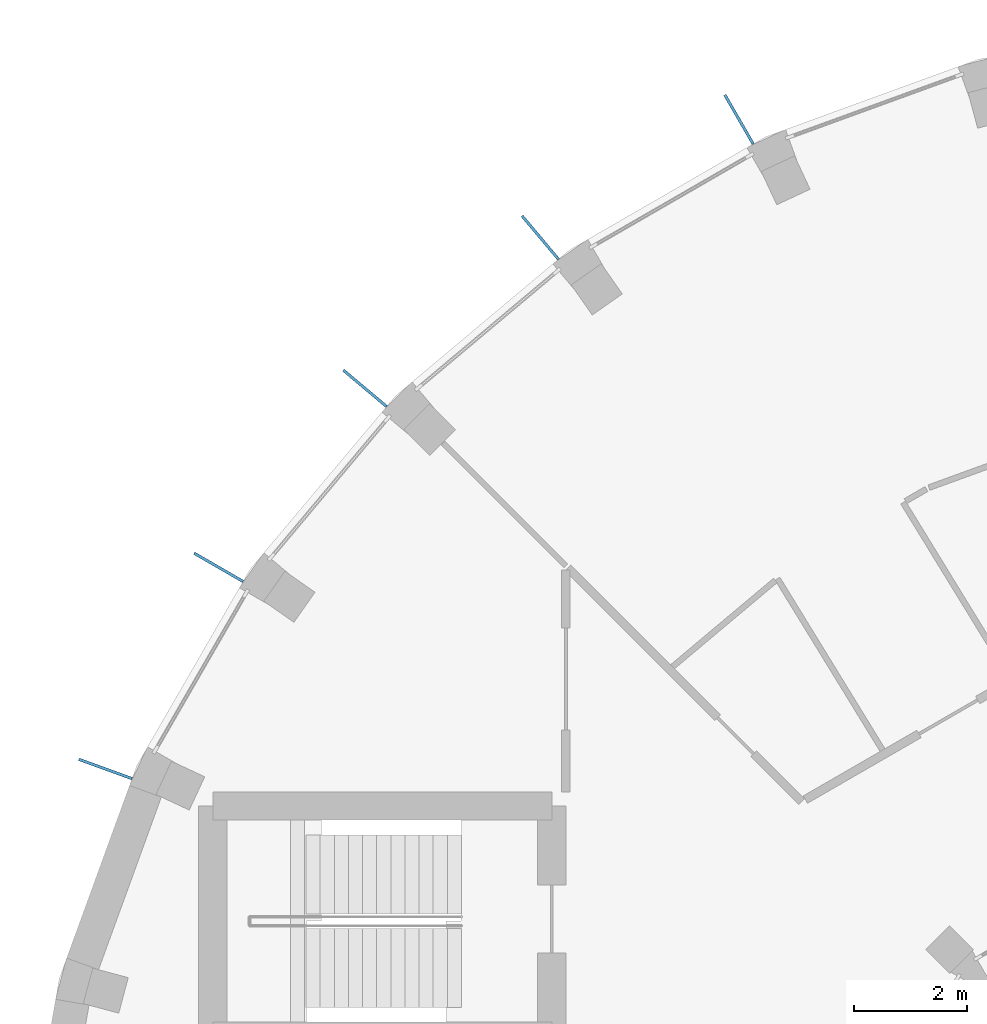
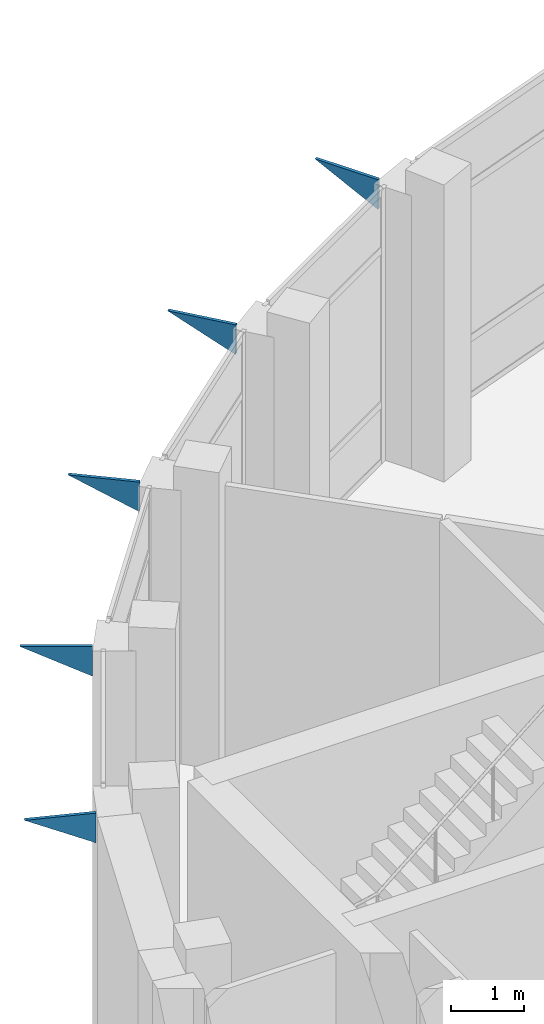
# One storey, part 18 of 19: 5 discrete accessories.
"""IFC4 building model written with IfcOpenShell, lengths in metres."""

import ifcopenshell
import ifcopenshell.guid

model = None  # the IFC model being written
_history = None  # IfcOwnerHistory: only IFC2X3 demands one
_inside = {}  # id of a spatial element -> (the spatial element, [elements in it])
_under = {}  # id of a project, library or spatial element -> (it, [spatial elements below it])
_declared = {}  # id of a project -> (the project, [libraries it declares])
_typed = {}  # id of a type object -> (the type object, [elements of that type])
_made_of = {}  # id of a material, layer set ... -> (it, [elements and type objects made of it])


def new_model(schema):
    """Start an empty IFC model of exactly this schema.

    Asked for "IFC4X3", IfcOpenShell would pick the latest addendum, in which some entities
    have other attributes; the version numbers below select the first issue.
    IFC2X3 requires an IfcOwnerHistory on every rooted entity: one is made here for all.
    """
    global model, _history
    if schema == "IFC4X3":
        model = ifcopenshell.file(schema_version=(4, 3, 0, 0))
    else:
        model = ifcopenshell.file(schema=schema)
    _inside.clear()
    _under.clear()
    _declared.clear()
    _typed.clear()
    _made_of.clear()
    _history = None
    if model.schema == "IFC2X3":
        org = make("IfcOrganization", Name="unknown")
        user = make(
            "IfcPersonAndOrganization",
            ThePerson=make("IfcPerson", FamilyName="unknown"),
            TheOrganization=org,
        )
        app = make(
            "IfcApplication",
            ApplicationDeveloper=org,
            Version="unknown",
            ApplicationFullName="unknown",
            ApplicationIdentifier="unknown",
        )
        _history = make(
            "IfcOwnerHistory",
            OwningUser=user,
            OwningApplication=app,
            ChangeAction="ADDED",
            CreationDate=0,
        )
    return model


def make(cls, **values):
    """One entity of the class cls with the attributes given. An attribute that is None is left unset."""
    return model.create_entity(
        cls, **{name: value for name, value in values.items() if value is not None}
    )


def rooted(cls, **values):
    """An entity with a GlobalId (a new one), such as an element, a storey or a relation."""
    return make(cls, GlobalId=ifcopenshell.guid.new(), OwnerHistory=_history, **values)


def si_unit(unit_type, name, prefix=None):
    """IfcSIUnit, for example si_unit("LENGTHUNIT", "METRE", prefix="MILLI")."""
    return make("IfcSIUnit", UnitType=unit_type, Prefix=prefix, Name=name)


def assignment(units):
    """IfcUnitAssignment: the units of a project."""
    return None if units is None else make("IfcUnitAssignment", Units=units)


def point(xyz):
    """IfcCartesianPoint."""
    return None if xyz is None else make("IfcCartesianPoint", Coordinates=xyz)


def direction(xyz):
    """IfcDirection."""
    return None if xyz is None else make("IfcDirection", DirectionRatios=xyz)


def frame(location, z_axis=None, x_axis=None):
    """IfcAxis2Placement3D, a coordinate frame: its origin and axes. An axis left out is left unset."""
    return make(
        "IfcAxis2Placement3D",
        Location=point(location),
        Axis=direction(z_axis),
        RefDirection=direction(x_axis),
    )


def origin():
    """The frame at (0, 0, 0) with its axes left unset."""
    return frame((0.0, 0.0, 0.0))


def place(relative_to, where):
    """IfcLocalPlacement: puts the frame where relative to a parent placement (None: the world)."""
    return make(
        "IfcLocalPlacement", PlacementRelTo=relative_to, RelativePlacement=where
    )


def context(
    kind, dimensions, precision=None, world=None, true_north=None, identifier=None
):
    """IfcGeometricRepresentationContext, for example the 3D "Model" context."""
    return make(
        "IfcGeometricRepresentationContext",
        ContextIdentifier=identifier,
        ContextType=kind,
        CoordinateSpaceDimension=dimensions,
        Precision=precision,
        WorldCoordinateSystem=world,
        TrueNorth=true_north,
    )


def subcontext(parent, identifier, kind, view, scale=None):
    """IfcGeometricRepresentationSubContext, for example "Body" below "Model"."""
    return make(
        "IfcGeometricRepresentationSubContext",
        ContextIdentifier=identifier,
        ContextType=kind,
        ParentContext=parent,
        TargetScale=scale,
        TargetView=view,
    )


def project(units=None, contexts=None):
    """IfcProject with its units and contexts."""
    return rooted(
        "IfcProject",
        Name="project",
        RepresentationContexts=contexts,
        UnitsInContext=assignment(units),
    )


def spatial(cls, under=None, at=None, **own):
    """A site, building, storey or space (cls), placed at a placement, below another one or the project."""
    s = rooted(cls, ObjectPlacement=at, **own)
    if under is not None:
        _under.setdefault(under.id(), (under, []))[1].append(s)
    return s


def polyline(points):
    """IfcPolyline through the points."""
    return make("IfcPolyline", Points=[point(p) for p in points])


def outline(outer, holes=None, kind="AREA"):
    """IfcArbitraryClosedProfileDef: a profile drawn as a closed curve; with holes, ...WithVoids."""
    if holes is None:
        return make("IfcArbitraryClosedProfileDef", ProfileType=kind, OuterCurve=outer)
    return make(
        "IfcArbitraryProfileDefWithVoids",
        ProfileType=kind,
        OuterCurve=outer,
        InnerCurves=holes,
    )


def extrude(swept, where, along, depth):
    """IfcExtrudedAreaSolid: the profile swept, set in the frame where, extruded along a direction by depth."""
    return make(
        "IfcExtrudedAreaSolid",
        SweptArea=swept,
        Position=where,
        ExtrudedDirection=direction(along),
        Depth=depth,
    )


def shape(context_of_items, identifier, shape_type, items):
    """IfcShapeRepresentation: the items that make up one representation, for example the "Body"."""
    return make(
        "IfcShapeRepresentation",
        ContextOfItems=context_of_items,
        RepresentationIdentifier=identifier,
        RepresentationType=shape_type,
        Items=items,
    )


def material(Name=None, Category=None):
    """IfcMaterial."""
    return make("IfcMaterial", Name=Name, Category=Category)


def layer(
    of_material, thickness, ventilated=None, Name=None, Category=None, Priority=None
):
    """IfcMaterialLayer: one layer of a wall or slab, of a material (None: an air gap)."""
    return make(
        "IfcMaterialLayer",
        Material=of_material,
        LayerThickness=thickness,
        IsVentilated=ventilated,
        Name=Name,
        Category=Category,
        Priority=Priority,
    )


def layer_set(layers, Name=None):
    """IfcMaterialLayerSet."""
    return make("IfcMaterialLayerSet", MaterialLayers=layers, LayerSetName=Name)


def made_of(thing, what):
    """Note that an element or type object is made of a material, layer set ...; save() writes the relation."""
    if what is not None:
        _made_of.setdefault(what.id(), (what, []))[1].append(thing)
    return thing


def type_object(cls, material=None, **own):
    """A type object (cls), such as IfcWallType, which elements share."""
    return made_of(rooted(cls, **own), material)


def element(
    cls,
    number,
    at=None,
    inside=None,
    cuts=None,
    type_object=None,
    material=None,
    context=None,
    identifier="Body",
    shape_type=None,
    held_by="IfcProductDefinitionShape",
    body=None,
    shapes=None,
    **own,
):
    """One element of the class cls, such as IfcWall. Its Tag is "e" and its number.

    at: its placement. inside: the storey or other place that contains it. cuts: it is an
    opening in that element (IfcRelVoidsElement). A single representation is given by context,
    identifier, shape_type and body (its items); several are given by shapes. held_by: the class
    of the entity that holds the representations. save() writes the other relations.
    """
    e = rooted(cls, Tag="e%d" % number, ObjectPlacement=at, **own)
    if body is not None:
        shapes = [shape(context, identifier, shape_type, body)]
    if shapes is not None:
        e.Representation = make(held_by, Representations=shapes)
    if inside is not None:
        _inside.setdefault(inside.id(), (inside, []))[1].append(e)
    if cuts is not None:
        rooted(
            "IfcRelVoidsElement", RelatingBuildingElement=cuts, RelatedOpeningElement=e
        )
    if type_object is not None:
        _typed.setdefault(type_object.id(), (type_object, []))[1].append(e)
    return made_of(e, material)


def aggregate(whole, parts):
    """IfcRelAggregates: a whole, such as a stair, and the parts it consists of."""
    return rooted("IfcRelAggregates", RelatingObject=whole, RelatedObjects=parts)


def save(model, path):
    """Write the relations noted so far, then the file.

    IfcRelAggregates (storeys below a building ...), IfcRelContainedInSpatialStructure (elements
    in a storey), IfcRelDefinesByType, IfcRelAssociatesMaterial and IfcRelDeclares: one each for
    every whole, place, type object, material and project.
    """
    for whole, parts in _under.values():
        aggregate(whole, parts)
    for where, things in _inside.values():
        rooted(
            "IfcRelContainedInSpatialStructure",
            RelatedElements=things,
            RelatingStructure=where,
        )
    for kind, things in _typed.values():
        rooted("IfcRelDefinesByType", RelatedObjects=things, RelatingType=kind)
    for what, things in _made_of.values():
        rooted("IfcRelAssociatesMaterial", RelatedObjects=things, RelatingMaterial=what)
    for by, libraries in _declared.values():
        rooted("IfcRelDeclares", RelatingContext=by, RelatedDefinitions=libraries)
    model.write(path)


model = new_model("IFC4")

# Units and contexts
model_context = context("Model", 3, precision=1e-05, world=origin(), true_north=direction((0.0, 1.0)))
body_context = subcontext(model_context, "Body", "Model", "MODEL_VIEW")
ifc_project = project(units=[si_unit("LENGTHUNIT", "METRE"), si_unit("AREAUNIT", "SQUARE_METRE"), si_unit("VOLUMEUNIT", "CUBIC_METRE"), si_unit("PLANEANGLEUNIT", "RADIAN"), si_unit("MASSUNIT", "GRAM", prefix="KILO")], contexts=[model_context])

# Site, building, storey
site_placement = place(None, origin())
site = spatial("IfcSite", under=ifc_project, at=site_placement, CompositionType="ELEMENT")
building_placement = place(site_placement, origin())
building = spatial("IfcBuilding", under=site, at=building_placement, Name="Saqina Gate Tower", CompositionType="ELEMENT")
storey_placement = place(building_placement, frame((0.0, 0.0, 224.699951171875)))
storey = spatial("IfcBuildingStorey", under=building, at=storey_placement, Name="L64", CompositionType="ELEMENT", Elevation=224.699951171875)

# Discrete accessories
ifc_material = material(Name="Galvanised steel", Category="steel")
ifc_layer = layer(ifc_material, 0.050048828125)
ifc_layer_set = layer_set([ifc_layer], Name="BR-GUSSET")
discrete_accessory_type = type_object("IfcDiscreteAccessoryType", Name="BR-GUSSET", PredefinedType="BRACKET", material=ifc_layer_set)
discrete_accessory_1_placement = place(storey_placement, frame((-9.95849609375, 20.70751953125, 4.10009765625), z_axis=(-0.866010750942, -0.50002537861, 0.0), x_axis=(0.0, 0.0, 1.0)))
element("IfcDiscreteAccessory", 1, at=discrete_accessory_1_placement, inside=storey, type_object=discrete_accessory_type, Name="Terrace slab bracket L65 1", PredefinedType="BRACKET", context=body_context, shape_type="SweptSolid", body=[
    extrude(outline(polyline([(0.0, 0.0), (0.5, 0.0), (0.5, 0.9999492453569568), (0.0, 0.0)])), origin(), (0.0, 0.0, -1.0), 0.050048828125),
])
discrete_accessory_2_placement = place(storey_placement, frame((-13.40283203125, 18.663818359375, 4.10009765625), z_axis=(-0.765954930181, -0.642894271969, 0.0), x_axis=(0.0, 0.0, 1.0)))
element("IfcDiscreteAccessory", 2, at=discrete_accessory_2_placement, inside=storey, type_object=discrete_accessory_type, Name="Terrace slab bracket L65 2", PredefinedType="BRACKET", context=body_context, shape_type="SweptSolid", body=[
    extrude(outline(polyline([(0.0, 0.0), (0.5, 0.0), (0.5, 0.9998879966000863), (0.0, 0.0)])), origin(), (0.0, 0.0, -1.0), 0.050048828125),
])
discrete_accessory_3_placement = place(storey_placement, frame((-16.440185546875, 16.052734375, 4.10009765625), z_axis=(-0.64277405138, -0.766055819685, 0.0), x_axis=(0.0, 0.0, 1.0)))
element("IfcDiscreteAccessory", 3, at=discrete_accessory_3_placement, inside=storey, type_object=discrete_accessory_type, Name="Terrace slab bracket L65 3", PredefinedType="BRACKET", context=body_context, shape_type="SweptSolid", body=[
    extrude(outline(polyline([(0.0, 0.0), (0.5, 0.0), (0.5, 1.0000750096322275), (0.0, 0.0)])), origin(), (0.0, 0.0, -1.0), 0.050048828125),
])
discrete_accessory_4_placement = place(storey_placement, frame((-18.97802734375, 12.9541015625, 4.10009765625), z_axis=(-0.50002537861, -0.866010750942, 0.0), x_axis=(0.0, 0.0, 1.0)))
element("IfcDiscreteAccessory", 4, at=discrete_accessory_4_placement, inside=storey, type_object=discrete_accessory_type, Name="Terrace slab bracket L65 4", PredefinedType="BRACKET", context=body_context, shape_type="SweptSolid", body=[
    extrude(outline(polyline([(0.0, 0.0), (0.5, 0.0), (0.5, 0.9999492453569568), (0.0, 0.0)])), origin(), (0.0, 0.0, -1.0), 0.050048828125),
])
discrete_accessory_5_placement = place(storey_placement, frame((-20.939208984375, 9.4619140625, 4.10009765625), z_axis=(-0.341821477669, -0.939764905391, 0.0), x_axis=(0.0, 0.0, 1.0)))
element("IfcDiscreteAccessory", 5, at=discrete_accessory_5_placement, inside=storey, type_object=discrete_accessory_type, Name="Terrace slab bracket L65 5", PredefinedType="BRACKET", context=body_context, shape_type="SweptSolid", body=[
    extrude(outline(polyline([(0.0, 0.0), (0.5, 0.0), (0.5, 0.999928024801219), (0.0, 0.0)])), origin(), (0.0, 0.0, -1.0), 0.050048828125),
])

save(model, "model.ifc")
